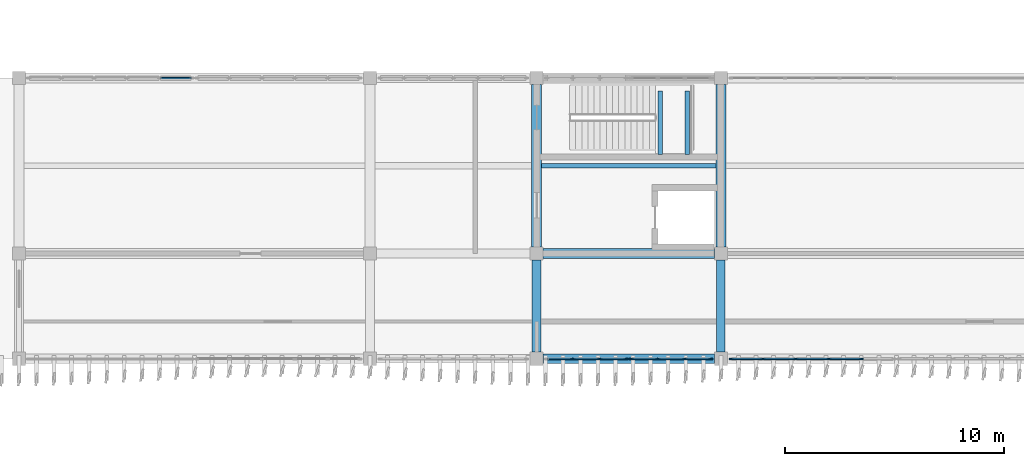
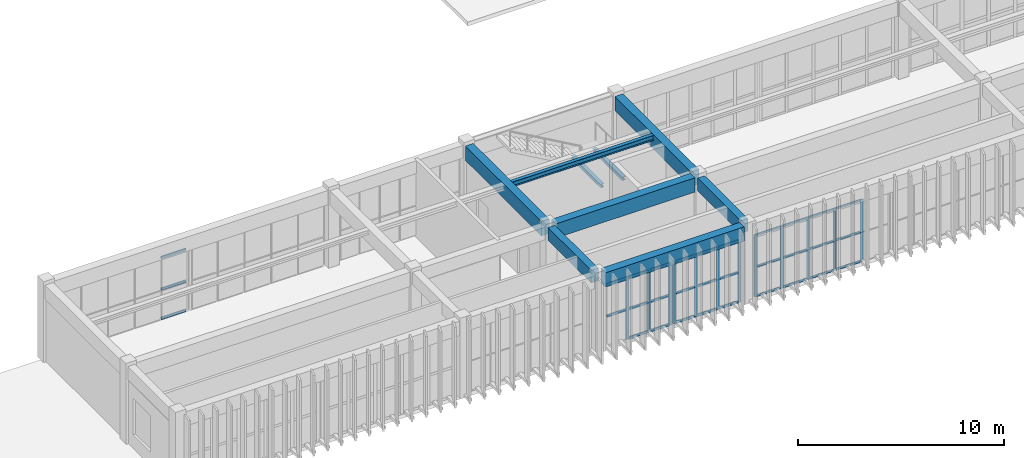
# One storey, part 33 of 76: 44 members, 9 beams, 4 elements without a shape of their own.
"""IFC4 building model written with IfcOpenShell, lengths in metres."""

from ifc_helpers import new_model, si_unit, direction, frame, origin, origin_2d, place, context, subcontext, project, spatial, rectangle, i_section, extrude, material, layer, layer_set, material_profile, profile_set, type_object, element, aggregate, save


model = new_model("IFC4")

# Units and contexts
model_context = context("Model", 3, precision=1e-05, world=origin(), true_north=direction((0.0, 1.0)))
body_context = subcontext(model_context, "Body", "Model", "MODEL_VIEW")
ifc_project = project(units=[si_unit("LENGTHUNIT", "METRE"), si_unit("AREAUNIT", "SQUARE_METRE"), si_unit("VOLUMEUNIT", "CUBIC_METRE"), si_unit("PLANEANGLEUNIT", "RADIAN"), si_unit("MASSUNIT", "GRAM", prefix="KILO")], contexts=[model_context])

# Site, building, storey
site_placement = place(None, origin())
site = spatial("IfcSite", under=ifc_project, at=site_placement, CompositionType="ELEMENT")
building_placement = place(site_placement, origin())
building = spatial("IfcBuilding", under=site, at=building_placement, Name="Cinchona Park Media Centre", CompositionType="ELEMENT")
storey_placement = place(building_placement, frame((0.0, 0.0, 15.60009765625)))
storey = spatial("IfcBuildingStorey", under=building, at=storey_placement, Name="L03", CompositionType="ELEMENT", Elevation=15.60009765625)

# Beams
ifc_material_1 = material(Name="Concrete C35/45", Category="concrete")
ifc_material_profile_1 = material_profile(ifc_material_1, rectangle(XDim=0.39990234375, YDim=0.75, at=origin_2d()), Name="RB 400X750")
ifc_profile_set_1 = profile_set([ifc_material_profile_1], Name="Concrete C35/45")
beam_type_1 = type_object("IfcBeamType", Name="BEAM-B01-RB400X750", PredefinedType="BEAM", material=ifc_profile_set_1)
for number, where, z_axis, x_axis, name in (
    (1, (86.39990234375, 75.10009765625, 4.204833984375), (0.0, 1.0, 0.0), (-1.0, 0.0, 0.0), "Girder B01 L03"),
    (2, (94.800048828125, 75.10009765625, 4.204833984375), (0.0, 1.0, 0.0), (-1.0, 0.0, 0.0), "Girder B01 L03"),
):
    element("IfcBeam", number, at=place(storey_placement, frame(where, z_axis=z_axis, x_axis=x_axis)), inside=storey, type_object=beam_type_1, Name=name, PredefinedType="BEAM", context=body_context, shape_type="SweptSolid", body=[
        extrude(rectangle(XDim=0.39990234375, YDim=0.75, at=origin_2d()), origin(), (0.0, 0.0, 1.0), 4.199951171875),
    ])
ifc_material_2 = material(Name="Concrete C35/45", Category="concrete")
ifc_material_profile_2 = material_profile(ifc_material_2, rectangle(XDim=0.449951171875, YDim=0.85009765625, at=origin_2d()), Name="RB 450X850")
ifc_profile_set_2 = profile_set([ifc_material_profile_2], Name="Concrete C35/45")
beam_type_2 = type_object("IfcBeamType", Name="BEAM-B02-RB450X850", PredefinedType="BEAM", material=ifc_profile_set_2)
for number, where, z_axis, x_axis, name in (
    (3, (86.699951171875, 74.800048828125, 4.15478515625), (1.0, 0.0, 0.0), (0.0, 1.0, 0.0), "Beam B02 L03"),
    (4, (86.699951171875, 79.60009765625, 4.15478515625), (1.0, 0.0, 0.0), (0.0, 1.0, 0.0), "Beam B02 L03"),
):
    element("IfcBeam", number, at=place(storey_placement, frame(where, z_axis=z_axis, x_axis=x_axis)), inside=storey, type_object=beam_type_2, Name=name, PredefinedType="BEAM", context=body_context, shape_type="SweptSolid", body=[
        extrude(rectangle(XDim=0.449951171875, YDim=0.85009765625, at=origin_2d()), origin(), (0.0, 0.0, 1.0), 7.800048828125),
    ])
for number, where, z_axis, x_axis, name in (
    (5, (86.39990234375, 79.89990234375, 4.15478515625), (0.0, 1.0, 0.0), (-1.0, 0.0, 0.0), "Girder B02 L03"),
    (6, (94.800048828125, 79.89990234375, 4.15478515625), (0.0, 1.0, 0.0), (-1.0, 0.0, 0.0), "Girder B02 L03"),
):
    element("IfcBeam", number, at=place(storey_placement, frame(where, z_axis=z_axis, x_axis=x_axis)), inside=storey, type_object=beam_type_2, Name=name, PredefinedType="BEAM", context=body_context, shape_type="SweptSolid", body=[
        extrude(rectangle(XDim=0.449951171875, YDim=0.85009765625, at=origin_2d()), origin(), (0.0, 0.0, 1.0), 7.400146484375),
    ])
ifc_material_3 = material(Name="Steel S355", Category="steel")
ifc_material_profile_3 = material_profile(ifc_material_3, i_section(OverallWidth=0.202880859375, OverallDepth=0.202880859375, WebThickness=0.007080078125, FlangeThickness=0.010986328125, at=origin_2d()), Name="W200X46")
ifc_profile_set_3 = profile_set([ifc_material_profile_3], Name="Steel S355")
beam_type_3 = type_object("IfcBeamType", Name="BEAM-B10-W200X46", PredefinedType="BEAM", material=ifc_profile_set_3)
for number, where, z_axis, x_axis, name in (
    (7, (92.0400390625, 84.125, 2.093505859375), (0.0, 1.0, 0.0), (-1.0, 0.0, 0.0), "Stair Landing Bearer Beam B10 ST5 L03"),
    (8, (93.260009765625, 84.125, 2.093505859375), (0.0, 1.0, 0.0), (-1.0, 0.0, 0.0), "Stair Landing Bearer Beam B10 ST5 L03"),
):
    element("IfcBeam", number, at=place(storey_placement, frame(where, z_axis=z_axis, x_axis=x_axis)), inside=storey, type_object=beam_type_3, Name=name, PredefinedType="BEAM", context=body_context, shape_type="SweptSolid", body=[
        extrude(i_section(OverallWidth=0.202880859375, OverallDepth=0.202880859375, WebThickness=0.007080078125, FlangeThickness=0.010986328125, at=origin_2d()), origin(), (0.0, 0.0, 1.0), 2.875),
    ])
ifc_material_4 = material(Name="Steel S355", Category="steel")
ifc_material_profile_4 = material_profile(ifc_material_4, i_section(OverallWidth=0.202880859375, OverallDepth=0.302978515625, WebThickness=0.007568359375, FlangeThickness=0.01318359375, at=origin_2d()), Name="W310X60")
ifc_profile_set_4 = profile_set([ifc_material_profile_4], Name="Steel S355")
beam_type_4 = type_object("IfcBeamType", Name="BEAM-J03-W310X60", PredefinedType="JOIST", material=ifc_profile_set_4)
beam_placement = place(storey_placement, frame((86.625, 83.60009765625, 4.428466796875), z_axis=(1.0, 0.0, 0.0), x_axis=(0.0, 1.0, 0.0)))
element("IfcBeam", 9, at=beam_placement, inside=storey, type_object=beam_type_4, Name="Floor Joist J03 L03", PredefinedType="JOIST", context=body_context, shape_type="SweptSolid", body=[
    extrude(i_section(OverallWidth=0.202880859375, OverallDepth=0.302978515625, WebThickness=0.007568359375, FlangeThickness=0.01318359375, at=origin_2d()), origin(), (0.0, 0.0, 1.0), 7.949951171875),
])

# Curtain wall, members
ifc_material_5 = material(Name="Aluminium Curtain Wall Framing", Category="aluminium")
ifc_layer_1 = layer(ifc_material_5, 0.239990234375)
ifc_layer_set_1 = layer_set([ifc_layer_1], Name="Aluminium Curtain Wall Framing")
curtain_wall_type_1 = type_object("IfcCurtainWallType", Name="CW-CW05", PredefinedType="USERDEFINED", material=ifc_layer_set_1)
curtain_wall_1_placement = place(storey_placement, origin())
curtain_wall_1 = element("IfcCurtainWall", 10, at=curtain_wall_1_placement, inside=storey, type_object=curtain_wall_type_1, Name="Curtain Wall CW05 L03", ObjectType="UNITISED CURTAIN WALL", PredefinedType="USERDEFINED")
ifc_material_6 = material(Name="Anodised Aluminium Alloy 6063-T6", Category="aluminium")
ifc_material_profile_5 = material_profile(ifc_material_6, rectangle(XDim=0.06494140625, YDim=0.159912109375, at=origin_2d()), Name="MUL-65X160")
ifc_profile_set_5 = profile_set([ifc_material_profile_5], Name="Anodised Aluminium Alloy 6063-T6")
member_type_1 = type_object("IfcMemberType", Name="MULLION-MUL01", PredefinedType="MULLION", material=ifc_profile_set_5)
member_1_placement = place(storey_placement, frame((101.219970703125, 74.800048828125, 0.0498046875), z_axis=(0.0, 0.0, 1.0), x_axis=(0.0, -1.0, 0.0)))
member_1 = element("IfcMember", 11, at=member_1_placement, type_object=member_type_1, Name="CW05 mullion 2", PredefinedType="MULLION", context=body_context, shape_type="SweptSolid", body=[
    extrude(rectangle(XDim=0.06494140625, YDim=0.159912109375, at=origin_2d()), origin(), (0.0, 0.0, 1.0), 3.68017578125),
])
member_2_placement = place(storey_placement, frame((99.719970703125, 74.800048828125, 0.0498046875), z_axis=(0.0, 0.0, 1.0), x_axis=(0.0, -1.0, 0.0)))
member_2 = element("IfcMember", 12, at=member_2_placement, type_object=member_type_1, Name="CW05 mullion 3", PredefinedType="MULLION", context=body_context, shape_type="SweptSolid", body=[
    extrude(rectangle(XDim=0.06494140625, YDim=0.159912109375, at=origin_2d()), origin(), (0.0, 0.0, 1.0), 3.68017578125),
])
member_3_placement = place(storey_placement, frame((98.219970703125, 74.800048828125, 0.0498046875), z_axis=(0.0, 0.0, 1.0), x_axis=(0.0, -1.0, 0.0)))
member_3 = element("IfcMember", 13, at=member_3_placement, type_object=member_type_1, Name="CW05 mullion 4", PredefinedType="MULLION", context=body_context, shape_type="SweptSolid", body=[
    extrude(rectangle(XDim=0.06494140625, YDim=0.159912109375, at=origin_2d()), origin(), (0.0, 0.0, 1.0), 3.68017578125),
])
member_4_placement = place(storey_placement, frame((96.719970703125, 74.800048828125, 0.0498046875), z_axis=(0.0, 0.0, 1.0), x_axis=(0.0, -1.0, 0.0)))
member_4 = element("IfcMember", 14, at=member_4_placement, type_object=member_type_1, Name="CW05 mullion 5", PredefinedType="MULLION", context=body_context, shape_type="SweptSolid", body=[
    extrude(rectangle(XDim=0.06494140625, YDim=0.159912109375, at=origin_2d()), origin(), (0.0, 0.0, 1.0), 3.68017578125),
])
member_5_placement = place(storey_placement, frame((95.25244140625, 74.800048828125, 0.0498046875), z_axis=(0.0, 0.0, 1.0), x_axis=(0.0, -1.0, 0.0)))
member_5 = element("IfcMember", 15, at=member_5_placement, type_object=member_type_1, Name="CW05 mullion 6", PredefinedType="MULLION", context=body_context, shape_type="SweptSolid", body=[
    extrude(rectangle(XDim=0.06494140625, YDim=0.159912109375, at=origin_2d()), origin(), (0.0, 0.0, 1.0), 3.68017578125),
])

ifc_material_7 = material(Name="Aluminium Curtain Wall Framing", Category="aluminium")
ifc_layer_2 = layer(ifc_material_7, 0.195068359375)
ifc_layer_set_2 = layer_set([ifc_layer_2], Name="Aluminium Curtain Wall Framing")
curtain_wall_type_2 = type_object("IfcCurtainWallType", Name="CW-CW02", PredefinedType="USERDEFINED", material=ifc_layer_set_2)
curtain_wall_2_placement = place(storey_placement, origin())
curtain_wall_2 = element("IfcCurtainWall", 16, at=curtain_wall_2_placement, inside=storey, type_object=curtain_wall_type_2, Name="Curtain Wall CW02 L03", ObjectType="UNITISED CURTAIN WALL", PredefinedType="USERDEFINED")
ifc_material_8 = material(Name="Anodised Aluminium Alloy 6063-T6", Category="aluminium")
ifc_material_profile_6 = material_profile(ifc_material_8, rectangle(XDim=0.070068359375, YDim=0.179931640625, at=origin_2d()), Name="MUL-70X180")
ifc_profile_set_6 = profile_set([ifc_material_profile_6], Name="Anodised Aluminium Alloy 6063-T6")
member_type_2 = type_object("IfcMemberType", Name="MULLION-MUL02", PredefinedType="MULLION", material=ifc_profile_set_6)
member_6_placement = place(storey_placement, frame((94.344970703125, 74.800048828125, 0.0498046875), z_axis=(0.0, 0.0, 1.0), x_axis=(0.0, -1.0, 0.0)))
member_6 = element("IfcMember", 17, at=member_6_placement, type_object=member_type_2, Name="CW02 mullion 1", PredefinedType="MULLION", context=body_context, shape_type="SweptSolid", body=[
    extrude(rectangle(XDim=0.070068359375, YDim=0.179931640625, at=origin_2d()), origin(), (0.0, 0.0, 1.0), 3.68017578125),
])
member_7_placement = place(storey_placement, frame((93.146728515625, 74.800048828125, 0.0498046875), z_axis=(0.0, 0.0, 1.0), x_axis=(0.0, -1.0, 0.0)))
member_7 = element("IfcMember", 18, at=member_7_placement, type_object=member_type_2, Name="CW02 mullion 2", PredefinedType="MULLION", context=body_context, shape_type="SweptSolid", body=[
    extrude(rectangle(XDim=0.070068359375, YDim=0.179931640625, at=origin_2d()), origin(), (0.0, 0.0, 1.0), 3.68017578125),
])
member_8_placement = place(storey_placement, frame((91.913330078125, 74.800048828125, 0.0498046875), z_axis=(0.0, 0.0, 1.0), x_axis=(0.0, -1.0, 0.0)))
member_8 = element("IfcMember", 19, at=member_8_placement, type_object=member_type_2, Name="CW02 mullion 3", PredefinedType="MULLION", context=body_context, shape_type="SweptSolid", body=[
    extrude(rectangle(XDim=0.070068359375, YDim=0.179931640625, at=origin_2d()), origin(), (0.0, 0.0, 1.0), 3.68017578125),
])
member_9_placement = place(storey_placement, frame((90.715087890625, 74.800048828125, 0.0498046875), z_axis=(0.0, 0.0, 1.0), x_axis=(0.0, -1.0, 0.0)))
member_9 = element("IfcMember", 20, at=member_9_placement, type_object=member_type_2, Name="CW02 mullion 4", PredefinedType="MULLION", context=body_context, shape_type="SweptSolid", body=[
    extrude(rectangle(XDim=0.070068359375, YDim=0.179931640625, at=origin_2d()), origin(), (0.0, 0.0, 1.0), 3.68017578125),
])

ifc_material_9 = material(Name="Aluminium Curtain Wall Framing", Category="aluminium")
ifc_layer_3 = layer(ifc_material_9, 0.2099609375)
ifc_layer_set_3 = layer_set([ifc_layer_3], Name="Aluminium Curtain Wall Framing")
curtain_wall_type_3 = type_object("IfcCurtainWallType", Name="CW-CW03", PredefinedType="USERDEFINED", material=ifc_layer_set_3)
curtain_wall_3_placement = place(storey_placement, origin())
curtain_wall_3 = element("IfcCurtainWall", 21, at=curtain_wall_3_placement, inside=storey, type_object=curtain_wall_type_3, Name="Curtain Wall CW03 L03", ObjectType="UNITISED CURTAIN WALL", PredefinedType="USERDEFINED")
member_10_placement = place(storey_placement, frame((90.485107421875, 74.800048828125, 0.0498046875), z_axis=(0.0, 0.0, 1.0), x_axis=(0.0, -1.0, 0.0)))
member_10 = element("IfcMember", 22, at=member_10_placement, type_object=member_type_2, Name="CW03 mullion 1", PredefinedType="MULLION", context=body_context, shape_type="SweptSolid", body=[
    extrude(rectangle(XDim=0.070068359375, YDim=0.179931640625, at=origin_2d()), origin(), (0.0, 0.0, 1.0), 3.68017578125),
])
member_11_placement = place(storey_placement, frame((89.28662109375, 74.800048828125, 0.0498046875), z_axis=(0.0, 0.0, 1.0), x_axis=(0.0, -1.0, 0.0)))
member_11 = element("IfcMember", 23, at=member_11_placement, type_object=member_type_2, Name="CW03 mullion 2", PredefinedType="MULLION", context=body_context, shape_type="SweptSolid", body=[
    extrude(rectangle(XDim=0.070068359375, YDim=0.179931640625, at=origin_2d()), origin(), (0.0, 0.0, 1.0), 3.68017578125),
])
member_12_placement = place(storey_placement, frame((88.05322265625, 74.800048828125, 0.0498046875), z_axis=(0.0, 0.0, 1.0), x_axis=(0.0, -1.0, 0.0)))
member_12 = element("IfcMember", 24, at=member_12_placement, type_object=member_type_2, Name="CW03 mullion 3", PredefinedType="MULLION", context=body_context, shape_type="SweptSolid", body=[
    extrude(rectangle(XDim=0.070068359375, YDim=0.179931640625, at=origin_2d()), origin(), (0.0, 0.0, 1.0), 3.68017578125),
])

# Member
ifc_material_10 = material(Name="Anodised Aluminium Alloy 6063-T6", Category="aluminium")
ifc_material_profile_7 = material_profile(ifc_material_10, rectangle(XDim=0.06494140625, YDim=0.1201171875, at=origin_2d()), Name="TRN-65X120")
ifc_profile_set_7 = profile_set([ifc_material_profile_7], Name="Anodised Aluminium Alloy 6063-T6")
member_type_3 = type_object("IfcMemberType", Name="TRANSOM-TRN01", PredefinedType="USERDEFINED", material=ifc_profile_set_7)
member_13_placement = place(storey_placement, frame((101.1875, 74.800048828125, 0.08251953125), z_axis=(-1.0, 0.0, 0.0), x_axis=(0.0, -1.0, 0.0)))
member_13 = element("IfcMember", 25, at=member_13_placement, type_object=member_type_3, Name="CW05 transom 2.1", ObjectType="TRANSOM", PredefinedType="USERDEFINED", context=body_context, shape_type="SweptSolid", body=[
    extrude(rectangle(XDim=0.06494140625, YDim=0.1201171875, at=origin_2d()), origin(), (0.0, 0.0, 1.0), 1.43505859375),
])

member_14_placement = place(storey_placement, frame((101.1875, 74.800048828125, 1.81591796875), z_axis=(-1.0, 0.0, 0.0), x_axis=(0.0, -1.0, 0.0)))
member_14 = element("IfcMember", 26, at=member_14_placement, type_object=member_type_3, Name="CW05 transom 2.2", ObjectType="TRANSOM", PredefinedType="USERDEFINED", context=body_context, shape_type="SweptSolid", body=[
    extrude(rectangle(XDim=0.06494140625, YDim=0.1201171875, at=origin_2d()), origin(), (0.0, 0.0, 1.0), 1.43505859375),
])

member_15_placement = place(storey_placement, frame((101.1875, 74.800048828125, 3.697509765625), z_axis=(-1.0, 0.0, 0.0), x_axis=(0.0, -1.0, 0.0)))
member_15 = element("IfcMember", 27, at=member_15_placement, type_object=member_type_3, Name="CW05 transom 2.3", ObjectType="TRANSOM", PredefinedType="USERDEFINED", context=body_context, shape_type="SweptSolid", body=[
    extrude(rectangle(XDim=0.06494140625, YDim=0.1201171875, at=origin_2d()), origin(), (0.0, 0.0, 1.0), 1.43505859375),
])

member_16_placement = place(storey_placement, frame((99.6875, 74.800048828125, 0.08251953125), z_axis=(-1.0, 0.0, 0.0), x_axis=(0.0, -1.0, 0.0)))
member_16 = element("IfcMember", 28, at=member_16_placement, type_object=member_type_3, Name="CW05 transom 3.1", ObjectType="TRANSOM", PredefinedType="USERDEFINED", context=body_context, shape_type="SweptSolid", body=[
    extrude(rectangle(XDim=0.06494140625, YDim=0.1201171875, at=origin_2d()), origin(), (0.0, 0.0, 1.0), 1.43505859375),
])

member_17_placement = place(storey_placement, frame((99.6875, 74.800048828125, 1.81591796875), z_axis=(-1.0, 0.0, 0.0), x_axis=(0.0, -1.0, 0.0)))
member_17 = element("IfcMember", 29, at=member_17_placement, type_object=member_type_3, Name="CW05 transom 3.2", ObjectType="TRANSOM", PredefinedType="USERDEFINED", context=body_context, shape_type="SweptSolid", body=[
    extrude(rectangle(XDim=0.06494140625, YDim=0.1201171875, at=origin_2d()), origin(), (0.0, 0.0, 1.0), 1.43505859375),
])

member_18_placement = place(storey_placement, frame((99.6875, 74.800048828125, 3.697509765625), z_axis=(-1.0, 0.0, 0.0), x_axis=(0.0, -1.0, 0.0)))
member_18 = element("IfcMember", 30, at=member_18_placement, type_object=member_type_3, Name="CW05 transom 3.3", ObjectType="TRANSOM", PredefinedType="USERDEFINED", context=body_context, shape_type="SweptSolid", body=[
    extrude(rectangle(XDim=0.06494140625, YDim=0.1201171875, at=origin_2d()), origin(), (0.0, 0.0, 1.0), 1.43505859375),
])

member_19_placement = place(storey_placement, frame((98.1875, 74.800048828125, 0.08251953125), z_axis=(-1.0, 0.0, 0.0), x_axis=(0.0, -1.0, 0.0)))
member_19 = element("IfcMember", 31, at=member_19_placement, type_object=member_type_3, Name="CW05 transom 4.1", ObjectType="TRANSOM", PredefinedType="USERDEFINED", context=body_context, shape_type="SweptSolid", body=[
    extrude(rectangle(XDim=0.06494140625, YDim=0.1201171875, at=origin_2d()), origin(), (0.0, 0.0, 1.0), 1.43505859375),
])

member_20_placement = place(storey_placement, frame((98.1875, 74.800048828125, 1.81591796875), z_axis=(-1.0, 0.0, 0.0), x_axis=(0.0, -1.0, 0.0)))
member_20 = element("IfcMember", 32, at=member_20_placement, type_object=member_type_3, Name="CW05 transom 4.2", ObjectType="TRANSOM", PredefinedType="USERDEFINED", context=body_context, shape_type="SweptSolid", body=[
    extrude(rectangle(XDim=0.06494140625, YDim=0.1201171875, at=origin_2d()), origin(), (0.0, 0.0, 1.0), 1.43505859375),
])

member_21_placement = place(storey_placement, frame((98.1875, 74.800048828125, 3.697509765625), z_axis=(-1.0, 0.0, 0.0), x_axis=(0.0, -1.0, 0.0)))
member_21 = element("IfcMember", 33, at=member_21_placement, type_object=member_type_3, Name="CW05 transom 4.3", ObjectType="TRANSOM", PredefinedType="USERDEFINED", context=body_context, shape_type="SweptSolid", body=[
    extrude(rectangle(XDim=0.06494140625, YDim=0.1201171875, at=origin_2d()), origin(), (0.0, 0.0, 1.0), 1.43505859375),
])

member_22_placement = place(storey_placement, frame((96.6875, 74.800048828125, 0.08251953125), z_axis=(-1.0, 0.0, 0.0), x_axis=(0.0, -1.0, 0.0)))
member_22 = element("IfcMember", 34, at=member_22_placement, type_object=member_type_3, Name="CW05 transom 5.1", ObjectType="TRANSOM", PredefinedType="USERDEFINED", context=body_context, shape_type="SweptSolid", body=[
    extrude(rectangle(XDim=0.06494140625, YDim=0.1201171875, at=origin_2d()), origin(), (0.0, 0.0, 1.0), 1.402587890625),
])

member_23_placement = place(storey_placement, frame((96.6875, 74.800048828125, 1.81591796875), z_axis=(-1.0, 0.0, 0.0), x_axis=(0.0, -1.0, 0.0)))
member_23 = element("IfcMember", 35, at=member_23_placement, type_object=member_type_3, Name="CW05 transom 5.2", ObjectType="TRANSOM", PredefinedType="USERDEFINED", context=body_context, shape_type="SweptSolid", body=[
    extrude(rectangle(XDim=0.06494140625, YDim=0.1201171875, at=origin_2d()), origin(), (0.0, 0.0, 1.0), 1.402587890625),
])

member_24_placement = place(storey_placement, frame((96.6875, 74.800048828125, 3.697509765625), z_axis=(-1.0, 0.0, 0.0), x_axis=(0.0, -1.0, 0.0)))
member_24 = element("IfcMember", 36, at=member_24_placement, type_object=member_type_3, Name="CW05 transom 5.3", ObjectType="TRANSOM", PredefinedType="USERDEFINED", context=body_context, shape_type="SweptSolid", body=[
    extrude(rectangle(XDim=0.06494140625, YDim=0.1201171875, at=origin_2d()), origin(), (0.0, 0.0, 1.0), 1.402587890625),
])

aggregate(curtain_wall_1, [member_1, member_2, member_3, member_4, member_5, member_13, member_14, member_15, member_16, member_17, member_18, member_19, member_20, member_21, member_22, member_23, member_24])

# Curtain wall, members
ifc_material_11 = material(Name="Aluminium Curtain Wall Framing", Category="aluminium")
ifc_layer_4 = layer(ifc_material_11, 0.284912109375)
ifc_layer_set_4 = layer_set([ifc_layer_4], Name="Aluminium Curtain Wall Framing")
curtain_wall_type_4 = type_object("IfcCurtainWallType", Name="CW-CW08", PredefinedType="USERDEFINED", material=ifc_layer_set_4)
curtain_wall_4_placement = place(storey_placement, origin())
curtain_wall_4 = element("IfcCurtainWall", 37, at=curtain_wall_4_placement, inside=storey, type_object=curtain_wall_type_4, Name="Curtain Wall CW08 L03", ObjectType="UNITISED CURTAIN WALL", PredefinedType="USERDEFINED")
ifc_material_12 = material(Name="Anodised Aluminium Alloy 6063-T6", Category="aluminium")
ifc_material_profile_8 = material_profile(ifc_material_12, rectangle(XDim=0.070068359375, YDim=0.139892578125, at=origin_2d()), Name="TRN-70X140")
ifc_profile_set_8 = profile_set([ifc_material_profile_8], Name="Anodised Aluminium Alloy 6063-T6")
member_type_4 = type_object("IfcMemberType", Name="TRANSOM-TRN02", PredefinedType="USERDEFINED", material=ifc_profile_set_8)
member_25_placement = place(storey_placement, frame((69.2548828125, 87.60009765625, 0.0849609375), z_axis=(1.0, 0.0, 0.0), x_axis=(0.0, 1.0, 0.0)))
member_25 = element("IfcMember", 38, at=member_25_placement, type_object=member_type_4, Name="CW08 transom 5.1", ObjectType="TRANSOM", PredefinedType="USERDEFINED", context=body_context, shape_type="SweptSolid", body=[
    extrude(rectangle(XDim=0.070068359375, YDim=0.139892578125, at=origin_2d()), origin(), (0.0, 0.0, 1.0), 1.39501953125),
])
member_26_placement = place(storey_placement, frame((69.2548828125, 87.60009765625, 1.81591796875), z_axis=(1.0, 0.0, 0.0), x_axis=(0.0, 1.0, 0.0)))
member_26 = element("IfcMember", 39, at=member_26_placement, type_object=member_type_4, Name="CW08 transom 5.2", ObjectType="TRANSOM", PredefinedType="USERDEFINED", context=body_context, shape_type="SweptSolid", body=[
    extrude(rectangle(XDim=0.070068359375, YDim=0.139892578125, at=origin_2d()), origin(), (0.0, 0.0, 1.0), 1.39501953125),
])
member_27_placement = place(storey_placement, frame((69.2548828125, 87.60009765625, 3.69482421875), z_axis=(1.0, 0.0, 0.0), x_axis=(0.0, 1.0, 0.0)))
member_27 = element("IfcMember", 40, at=member_27_placement, type_object=member_type_4, Name="CW08 transom 5.3", ObjectType="TRANSOM", PredefinedType="USERDEFINED", context=body_context, shape_type="SweptSolid", body=[
    extrude(rectangle(XDim=0.070068359375, YDim=0.139892578125, at=origin_2d()), origin(), (0.0, 0.0, 1.0), 1.39501953125),
])
aggregate(curtain_wall_4, [member_25, member_26, member_27])

# Member
member_28_placement = place(storey_placement, frame((94.31005859375, 74.800048828125, 0.0849609375), z_axis=(-1.0, 0.0, 0.0), x_axis=(0.0, -1.0, 0.0)))
member_28 = element("IfcMember", 41, at=member_28_placement, type_object=member_type_4, Name="CW02 transom 1.1", ObjectType="TRANSOM", PredefinedType="USERDEFINED", context=body_context, shape_type="SweptSolid", body=[
    extrude(rectangle(XDim=0.070068359375, YDim=0.139892578125, at=origin_2d()), origin(), (0.0, 0.0, 1.0), 1.12841796875),
])

member_29_placement = place(storey_placement, frame((94.31005859375, 74.800048828125, 1.81591796875), z_axis=(-1.0, 0.0, 0.0), x_axis=(0.0, -1.0, 0.0)))
member_29 = element("IfcMember", 42, at=member_29_placement, type_object=member_type_4, Name="CW02 transom 1.2", ObjectType="TRANSOM", PredefinedType="USERDEFINED", context=body_context, shape_type="SweptSolid", body=[
    extrude(rectangle(XDim=0.070068359375, YDim=0.139892578125, at=origin_2d()), origin(), (0.0, 0.0, 1.0), 1.12841796875),
])

member_30_placement = place(storey_placement, frame((94.31005859375, 74.800048828125, 3.69482421875), z_axis=(-1.0, 0.0, 0.0), x_axis=(0.0, -1.0, 0.0)))
member_30 = element("IfcMember", 43, at=member_30_placement, type_object=member_type_4, Name="CW02 transom 1.3", ObjectType="TRANSOM", PredefinedType="USERDEFINED", context=body_context, shape_type="SweptSolid", body=[
    extrude(rectangle(XDim=0.070068359375, YDim=0.139892578125, at=origin_2d()), origin(), (0.0, 0.0, 1.0), 1.12841796875),
])

member_31_placement = place(storey_placement, frame((93.111572265625, 74.800048828125, 0.0849609375), z_axis=(-1.0, 0.0, 0.0), x_axis=(0.0, -1.0, 0.0)))
member_31 = element("IfcMember", 44, at=member_31_placement, type_object=member_type_4, Name="CW02 transom 2.1", ObjectType="TRANSOM", PredefinedType="USERDEFINED", context=body_context, shape_type="SweptSolid", body=[
    extrude(rectangle(XDim=0.070068359375, YDim=0.139892578125, at=origin_2d()), origin(), (0.0, 0.0, 1.0), 1.163330078125),
])

member_32_placement = place(storey_placement, frame((93.111572265625, 74.800048828125, 1.81591796875), z_axis=(-1.0, 0.0, 0.0), x_axis=(0.0, -1.0, 0.0)))
member_32 = element("IfcMember", 45, at=member_32_placement, type_object=member_type_4, Name="CW02 transom 2.2", ObjectType="TRANSOM", PredefinedType="USERDEFINED", context=body_context, shape_type="SweptSolid", body=[
    extrude(rectangle(XDim=0.070068359375, YDim=0.139892578125, at=origin_2d()), origin(), (0.0, 0.0, 1.0), 1.163330078125),
])

member_33_placement = place(storey_placement, frame((93.111572265625, 74.800048828125, 3.69482421875), z_axis=(-1.0, 0.0, 0.0), x_axis=(0.0, -1.0, 0.0)))
member_33 = element("IfcMember", 46, at=member_33_placement, type_object=member_type_4, Name="CW02 transom 2.3", ObjectType="TRANSOM", PredefinedType="USERDEFINED", context=body_context, shape_type="SweptSolid", body=[
    extrude(rectangle(XDim=0.070068359375, YDim=0.139892578125, at=origin_2d()), origin(), (0.0, 0.0, 1.0), 1.163330078125),
])

member_34_placement = place(storey_placement, frame((91.87841796875, 74.800048828125, 0.0849609375), z_axis=(-1.0, 0.0, 0.0), x_axis=(0.0, -1.0, 0.0)))
member_34 = element("IfcMember", 47, at=member_34_placement, type_object=member_type_4, Name="CW02 transom 3.1", ObjectType="TRANSOM", PredefinedType="USERDEFINED", context=body_context, shape_type="SweptSolid", body=[
    extrude(rectangle(XDim=0.070068359375, YDim=0.139892578125, at=origin_2d()), origin(), (0.0, 0.0, 1.0), 1.12841796875),
])

member_35_placement = place(storey_placement, frame((91.87841796875, 74.800048828125, 1.81591796875), z_axis=(-1.0, 0.0, 0.0), x_axis=(0.0, -1.0, 0.0)))
member_35 = element("IfcMember", 48, at=member_35_placement, type_object=member_type_4, Name="CW02 transom 3.2", ObjectType="TRANSOM", PredefinedType="USERDEFINED", context=body_context, shape_type="SweptSolid", body=[
    extrude(rectangle(XDim=0.070068359375, YDim=0.139892578125, at=origin_2d()), origin(), (0.0, 0.0, 1.0), 1.12841796875),
])

member_36_placement = place(storey_placement, frame((91.87841796875, 74.800048828125, 3.69482421875), z_axis=(-1.0, 0.0, 0.0), x_axis=(0.0, -1.0, 0.0)))
member_36 = element("IfcMember", 49, at=member_36_placement, type_object=member_type_4, Name="CW02 transom 3.3", ObjectType="TRANSOM", PredefinedType="USERDEFINED", context=body_context, shape_type="SweptSolid", body=[
    extrude(rectangle(XDim=0.070068359375, YDim=0.139892578125, at=origin_2d()), origin(), (0.0, 0.0, 1.0), 1.12841796875),
])

aggregate(curtain_wall_2, [member_6, member_7, member_8, member_9, member_28, member_29, member_30, member_31, member_32, member_33, member_34, member_35, member_36])

member_37_placement = place(storey_placement, frame((90.449951171875, 74.800048828125, 0.0849609375), z_axis=(-1.0, 0.0, 0.0), x_axis=(0.0, -1.0, 0.0)))
member_37 = element("IfcMember", 50, at=member_37_placement, type_object=member_type_4, Name="CW03 transom 1.1", ObjectType="TRANSOM", PredefinedType="USERDEFINED", context=body_context, shape_type="SweptSolid", body=[
    extrude(rectangle(XDim=0.070068359375, YDim=0.139892578125, at=origin_2d()), origin(), (0.0, 0.0, 1.0), 1.128173828125),
])

member_38_placement = place(storey_placement, frame((90.449951171875, 74.800048828125, 1.81591796875), z_axis=(-1.0, 0.0, 0.0), x_axis=(0.0, -1.0, 0.0)))
member_38 = element("IfcMember", 51, at=member_38_placement, type_object=member_type_4, Name="CW03 transom 1.2", ObjectType="TRANSOM", PredefinedType="USERDEFINED", context=body_context, shape_type="SweptSolid", body=[
    extrude(rectangle(XDim=0.070068359375, YDim=0.139892578125, at=origin_2d()), origin(), (0.0, 0.0, 1.0), 1.128173828125),
])

member_39_placement = place(storey_placement, frame((90.449951171875, 74.800048828125, 3.69482421875), z_axis=(-1.0, 0.0, 0.0), x_axis=(0.0, -1.0, 0.0)))
member_39 = element("IfcMember", 52, at=member_39_placement, type_object=member_type_4, Name="CW03 transom 1.3", ObjectType="TRANSOM", PredefinedType="USERDEFINED", context=body_context, shape_type="SweptSolid", body=[
    extrude(rectangle(XDim=0.070068359375, YDim=0.139892578125, at=origin_2d()), origin(), (0.0, 0.0, 1.0), 1.128173828125),
])

member_40_placement = place(storey_placement, frame((89.251708984375, 74.800048828125, 0.0849609375), z_axis=(-1.0, 0.0, 0.0), x_axis=(0.0, -1.0, 0.0)))
member_40 = element("IfcMember", 53, at=member_40_placement, type_object=member_type_4, Name="CW03 transom 2.1", ObjectType="TRANSOM", PredefinedType="USERDEFINED", context=body_context, shape_type="SweptSolid", body=[
    extrude(rectangle(XDim=0.070068359375, YDim=0.139892578125, at=origin_2d()), origin(), (0.0, 0.0, 1.0), 1.163330078125),
])

member_41_placement = place(storey_placement, frame((89.251708984375, 74.800048828125, 1.81591796875), z_axis=(-1.0, 0.0, 0.0), x_axis=(0.0, -1.0, 0.0)))
member_41 = element("IfcMember", 54, at=member_41_placement, type_object=member_type_4, Name="CW03 transom 2.2", ObjectType="TRANSOM", PredefinedType="USERDEFINED", context=body_context, shape_type="SweptSolid", body=[
    extrude(rectangle(XDim=0.070068359375, YDim=0.139892578125, at=origin_2d()), origin(), (0.0, 0.0, 1.0), 1.163330078125),
])

member_42_placement = place(storey_placement, frame((89.251708984375, 74.800048828125, 3.69482421875), z_axis=(-1.0, 0.0, 0.0), x_axis=(0.0, -1.0, 0.0)))
member_42 = element("IfcMember", 55, at=member_42_placement, type_object=member_type_4, Name="CW03 transom 2.3", ObjectType="TRANSOM", PredefinedType="USERDEFINED", context=body_context, shape_type="SweptSolid", body=[
    extrude(rectangle(XDim=0.070068359375, YDim=0.139892578125, at=origin_2d()), origin(), (0.0, 0.0, 1.0), 1.163330078125),
])

member_43_placement = place(storey_placement, frame((88.018310546875, 74.800048828125, 1.81591796875), z_axis=(-1.0, 0.0, 0.0), x_axis=(0.0, -1.0, 0.0)))
member_43 = element("IfcMember", 56, at=member_43_placement, type_object=member_type_4, Name="CW03 transom 3.2", ObjectType="TRANSOM", PredefinedType="USERDEFINED", context=body_context, shape_type="SweptSolid", body=[
    extrude(rectangle(XDim=0.070068359375, YDim=0.139892578125, at=origin_2d()), origin(), (0.0, 0.0, 1.0), 1.12841796875),
])

member_44_placement = place(storey_placement, frame((88.018310546875, 74.800048828125, 3.69482421875), z_axis=(-1.0, 0.0, 0.0), x_axis=(0.0, -1.0, 0.0)))
member_44 = element("IfcMember", 57, at=member_44_placement, type_object=member_type_4, Name="CW03 transom 3.3", ObjectType="TRANSOM", PredefinedType="USERDEFINED", context=body_context, shape_type="SweptSolid", body=[
    extrude(rectangle(XDim=0.070068359375, YDim=0.139892578125, at=origin_2d()), origin(), (0.0, 0.0, 1.0), 1.12841796875),
])

aggregate(curtain_wall_3, [member_10, member_11, member_12, member_37, member_38, member_39, member_40, member_41, member_42, member_43, member_44])

save(model, "model.ifc")
